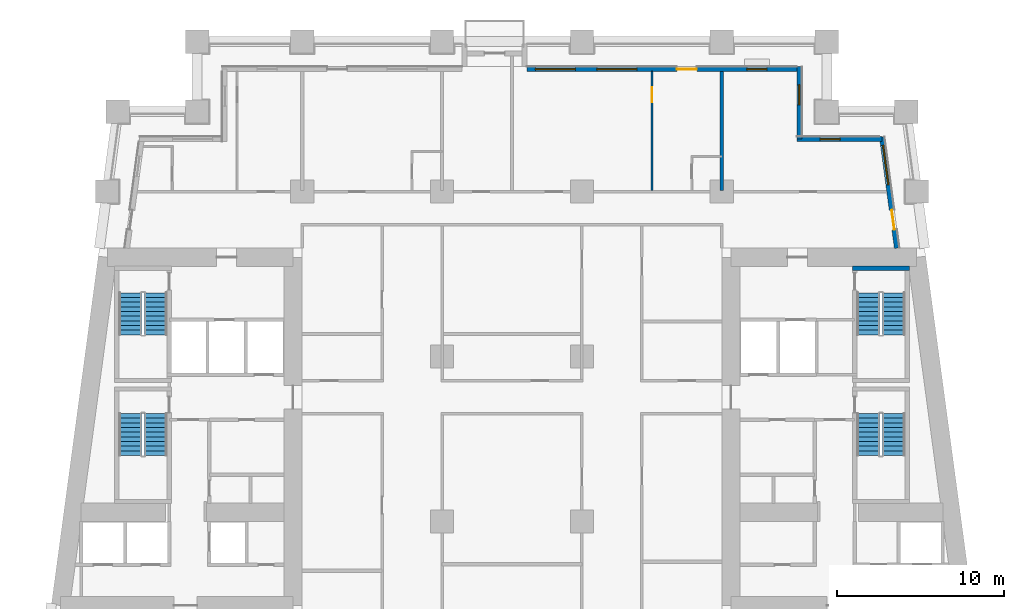
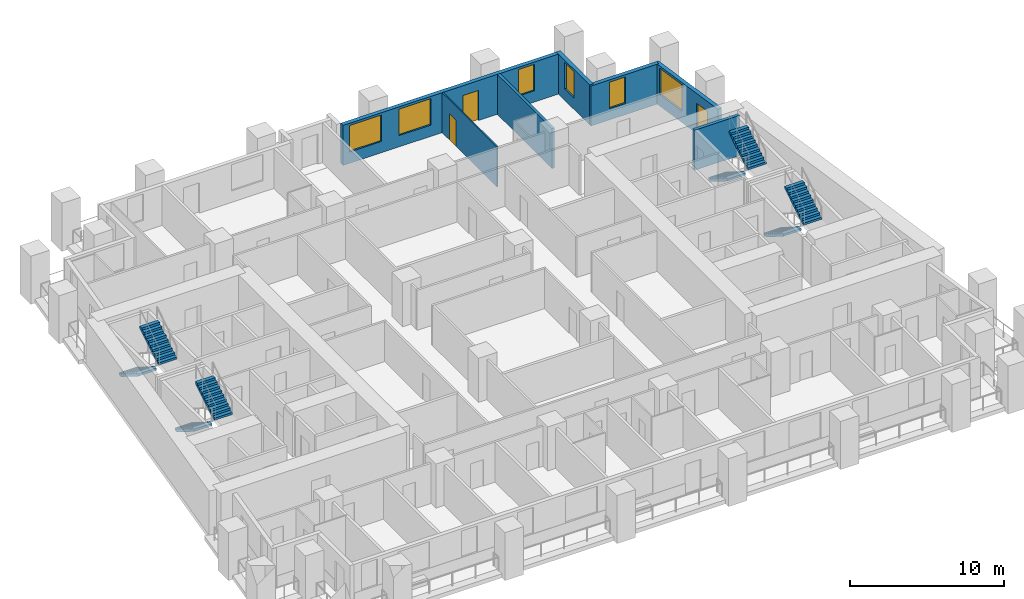
# One storey, part 7 of 12: 8 stair flights, 7 walls, 6 windows, 3 doors, 9 openings, 4 elements without a shape of their own.
"""IFC4 building model written with IfcOpenShell, lengths in metres."""

from ifc_helpers import new_model, si_unit, direction, frame, frame_2d, origin, place, context, subcontext, project, spatial, polyline, rectangle, outline, extrude, material, layer, layer_set, type_object, element, fill, aggregate, save


model = new_model("IFC4")

# Units and contexts
model_context = context("Model", 3, precision=1e-05, world=origin(), true_north=direction((0.0, 1.0)))
body_context = subcontext(model_context, "Body", "Model", "MODEL_VIEW")
ifc_project = project(units=[si_unit("LENGTHUNIT", "METRE"), si_unit("AREAUNIT", "SQUARE_METRE"), si_unit("VOLUMEUNIT", "CUBIC_METRE"), si_unit("PLANEANGLEUNIT", "RADIAN"), si_unit("MASSUNIT", "GRAM", prefix="KILO")], contexts=[model_context])

# Site, building, storey
site_placement = place(None, origin())
site = spatial("IfcSite", under=ifc_project, at=site_placement, CompositionType="ELEMENT")
building_placement = place(site_placement, origin())
building = spatial("IfcBuilding", under=site, at=building_placement, Name="Candeia Pilgrim Tower and Theatre", CompositionType="ELEMENT")
storey_placement = place(building_placement, frame((0.0, 0.0, 39.0)))
storey = spatial("IfcBuildingStorey", under=building, at=storey_placement, Name="L06", CompositionType="ELEMENT", Elevation=39.0)

# Wall, openings, door, window
ifc_material_1 = material(Name="Ceramic block masonry", Category="masonry")
ifc_layer_1 = layer(ifc_material_1, 0.300048828125)
ifc_layer_set_1 = layer_set([ifc_layer_1], Name="EW1 glazing-line wall 300")
wall_type_1 = type_object("IfcWallType", Name="EW1 glazing-line wall 300", PredefinedType="SOLIDWALL", material=ifc_layer_set_1)
wall_1_placement = place(storey_placement, frame((136.50439453125, 132.39990234375, 0.0), z_axis=(0.0, 0.0, 1.0), x_axis=(-0.133399697462, 0.99106231929, 0.0)))
wall_1 = element("IfcWall", 1, at=wall_1_placement, inside=storey, type_object=wall_type_1, Name="External wall L06-3.1", PredefinedType="SOLIDWALL", context=body_context, shape_type="SweptSolid", body=[
    extrude(rectangle(XDim=6.740478515625, YDim=0.300048828125, at=frame_2d((3.3701171875, 0.0))), origin(), (0.0, 0.0, 1.0), 3.179931640625),
])
opening_1_placement = place(wall_1_placement, frame((1.115234375, 0.0, 0.0)))
opening_1 = element("IfcOpeningElement", 2, at=opening_1_placement, cuts=wall_1, Name="Opening L06-ED085", PredefinedType="OPENING", context=body_context, shape_type="SweptSolid", body=[
    extrude(rectangle(XDim=1.199951171875, YDim=2.39990234375, at=frame_2d((0.60009765625, 1.199951171875))), frame((0.0, 0.16015625, 0.0), z_axis=(0.0, -1.0, 0.0), x_axis=(1.0, 0.0, 0.0)), (0.0, 0.0, 1.0), 0.320068359375),
])
opening_2_placement = place(wall_1_placement, frame((3.83544921875, 0.0, 0.89990234375)))
opening_2 = element("IfcOpeningElement", 3, at=opening_2_placement, cuts=wall_1, Name="Opening W-A", PredefinedType="OPENING", context=body_context, shape_type="SweptSolid", body=[
    extrude(rectangle(XDim=2.39990234375, YDim=2.10009765625, at=frame_2d((1.199951171875, 1.050048828125))), frame((0.0, 0.16015625, 0.0), z_axis=(0.0, -1.0, 0.0), x_axis=(1.0, 0.0, 0.0)), (0.0, 0.0, 1.0), 0.320068359375),
])
ifc_material_2 = material(Name="Aluminium framed glazed door", Category="aluminium")
door_type_1 = type_object("IfcDoorType", Name="Loggia door 1200x2400", OperationType="DOUBLE_DOOR_SINGLE_SWING", PredefinedType="DOOR", material=ifc_material_2)
door_1_placement = place(opening_1_placement, origin())
door_1 = element("IfcDoor", 4, at=door_1_placement, inside=storey, type_object=door_type_1, Name="Loggia door L06-ED085", OperationType="DOUBLE_DOOR_SINGLE_SWING", OverallHeight=2.39990234375, OverallWidth=1.199951171875, PredefinedType="DOOR", context=body_context, shape_type="SweptSolid", body=[
    extrude(rectangle(XDim=1.199951171875, YDim=2.39990234375, at=frame_2d((0.60009765625, 1.199951171875))), frame((0.0, 0.02490234375, 0.0), z_axis=(0.0, -1.0, 0.0), x_axis=(1.0, 0.0, 0.0)), (0.0, 0.0, 1.0), 0.050048828125),
])
fill(opening_1, door_1)
ifc_material_3 = material(Name="Aluminium framed double glazing", Category="aluminium")
window_type_1 = type_object("IfcWindowType", Name="W-A window 2400x2100", PartitioningType="DOUBLE_PANEL_VERTICAL", PredefinedType="WINDOW", material=ifc_material_3)
window_1_placement = place(opening_2_placement, origin())
window_1 = element("IfcWindow", 5, at=window_1_placement, inside=storey, type_object=window_type_1, Name="Window W-A L06", OverallHeight=2.10009765625, OverallWidth=2.39990234375, PartitioningType="SINGLE_PANEL", PredefinedType="WINDOW", context=body_context, shape_type="SweptSolid", body=[
    extrude(rectangle(XDim=2.39990234375, YDim=2.10009765625, at=frame_2d((1.199951171875, 1.050048828125))), frame((0.0, 0.030029296875, 0.0), z_axis=(0.0, -1.0, 0.0), x_axis=(1.0, 0.0, 0.0)), (0.0, 0.0, 1.0), 0.06005859375),
])
fill(opening_2, window_1)

# Wall, opening, window
wall_2_placement = place(storey_placement, frame((135.62255859375, 138.949951171875, 0.0), z_axis=(0.0, 0.0, 1.0), x_axis=(-1.0, 0.0, 0.0)))
wall_2 = element("IfcWall", 6, at=wall_2_placement, inside=storey, type_object=wall_type_1, Name="External wall L06-4.0", PredefinedType="SOLIDWALL", context=body_context, shape_type="SweptSolid", body=[
    extrude(rectangle(XDim=5.12255859375, YDim=0.300048828125, at=frame_2d((2.561279296875, 0.0))), origin(), (0.0, 0.0, 1.0), 3.179931640625),
])
opening_3_placement = place(wall_2_placement, frame((2.522705078125, 0.0, 0.89990234375)))
opening_3 = element("IfcOpeningElement", 7, at=opening_3_placement, cuts=wall_2, Name="Opening W-B", PredefinedType="OPENING", context=body_context, shape_type="SweptSolid", body=[
    extrude(rectangle(XDim=1.199951171875, YDim=2.10009765625, at=frame_2d((0.60009765625, 1.050048828125))), frame((0.0, 0.16015625, 0.0), z_axis=(0.0, -1.0, 0.0), x_axis=(1.0, 0.0, 0.0)), (0.0, 0.0, 1.0), 0.320068359375),
])
window_type_2 = type_object("IfcWindowType", Name="W-B window 1200x2100", PartitioningType="SINGLE_PANEL", PredefinedType="WINDOW", material=ifc_material_3)
window_2_placement = place(opening_3_placement, origin())
window_2 = element("IfcWindow", 8, at=window_2_placement, inside=storey, type_object=window_type_2, Name="Window W-B L06", OverallHeight=2.10009765625, OverallWidth=1.199951171875, PartitioningType="SINGLE_PANEL", PredefinedType="WINDOW", context=body_context, shape_type="SweptSolid", body=[
    extrude(rectangle(XDim=1.199951171875, YDim=2.10009765625, at=frame_2d((0.60009765625, 1.050048828125))), frame((0.0, 0.030029296875, 0.0), z_axis=(0.0, -1.0, 0.0), x_axis=(1.0, 0.0, 0.0)), (0.0, 0.0, 1.0), 0.06005859375),
])
fill(opening_3, window_2)

wall_3_placement = place(storey_placement, frame((130.64990234375, 138.949951171875, 0.0), z_axis=(0.0, 0.0, 1.0), x_axis=(0.0, 1.0, 0.0)))
wall_3 = element("IfcWall", 9, at=wall_3_placement, inside=storey, type_object=wall_type_1, Name="External wall L06-5.0", PredefinedType="SOLIDWALL", context=body_context, shape_type="SweptSolid", body=[
    extrude(rectangle(XDim=4.35009765625, YDim=0.300048828125, at=frame_2d((2.175048828125, 0.0))), origin(), (0.0, 0.0, 1.0), 3.179931640625),
])
opening_4_placement = place(wall_3_placement, frame((2.050048828125, 0.0, 0.89990234375)))
opening_4 = element("IfcOpeningElement", 10, at=opening_4_placement, cuts=wall_3, Name="Opening W-B", PredefinedType="OPENING", context=body_context, shape_type="SweptSolid", body=[
    extrude(rectangle(XDim=1.199951171875, YDim=2.10009765625, at=frame_2d((0.60009765625, 1.050048828125))), frame((0.0, 0.16015625, 0.0), z_axis=(0.0, -1.0, 0.0), x_axis=(1.0, 0.0, 0.0)), (0.0, 0.0, 1.0), 0.320068359375),
])
window_3_placement = place(opening_4_placement, origin())
window_3 = element("IfcWindow", 11, at=window_3_placement, inside=storey, type_object=window_type_2, Name="Window W-B L06", OverallHeight=2.10009765625, OverallWidth=1.199951171875, PartitioningType="SINGLE_PANEL", PredefinedType="WINDOW", context=body_context, shape_type="SweptSolid", body=[
    extrude(rectangle(XDim=1.199951171875, YDim=2.10009765625, at=frame_2d((0.60009765625, 1.050048828125))), frame((0.0, 0.030029296875, 0.0), z_axis=(0.0, -1.0, 0.0), x_axis=(1.0, 0.0, 0.0)), (0.0, 0.0, 1.0), 0.06005859375),
])
fill(opening_4, window_3)

# Wall, openings, door, windows
wall_4_placement = place(storey_placement, frame((130.64990234375, 143.14990234375, 0.0), z_axis=(0.0, 0.0, 1.0), x_axis=(-1.0, 0.0, 0.0)))
wall_4 = element("IfcWall", 12, at=wall_4_placement, inside=storey, type_object=wall_type_1, Name="External wall L06-6.0", PredefinedType="SOLIDWALL", context=body_context, shape_type="SweptSolid", body=[
    extrude(rectangle(XDim=16.349853515625, YDim=0.300048828125, at=frame_2d((8.1748046875, 0.0))), origin(), (0.0, 0.0, 1.0), 3.179931640625),
])
opening_5_placement = place(wall_4_placement, frame((1.949951171875, 0.0, 0.89990234375)))
opening_5 = element("IfcOpeningElement", 13, at=opening_5_placement, cuts=wall_4, Name="Opening W-B", PredefinedType="OPENING", context=body_context, shape_type="SweptSolid", body=[
    extrude(rectangle(XDim=1.199951171875, YDim=2.10009765625, at=frame_2d((0.60009765625, 1.050048828125))), frame((0.0, 0.16015625, 0.0), z_axis=(0.0, -1.0, 0.0), x_axis=(1.0, 0.0, 0.0)), (0.0, 0.0, 1.0), 0.320068359375),
])
opening_6_placement = place(wall_4_placement, frame((6.14990234375, 0.0, 0.0)))
opening_6 = element("IfcOpeningElement", 14, at=opening_6_placement, cuts=wall_4, Name="Opening L06-ED086", PredefinedType="OPENING", context=body_context, shape_type="SweptSolid", body=[
    extrude(rectangle(XDim=1.199951171875, YDim=2.39990234375, at=frame_2d((0.60009765625, 1.199951171875))), frame((0.0, 0.16015625, 0.0), z_axis=(0.0, -1.0, 0.0), x_axis=(1.0, 0.0, 0.0)), (0.0, 0.0, 1.0), 0.320068359375),
])
opening_7_placement = place(wall_4_placement, frame((9.75, 0.0, 0.89990234375)))
opening_7 = element("IfcOpeningElement", 15, at=opening_7_placement, cuts=wall_4, Name="Opening W-A", PredefinedType="OPENING", context=body_context, shape_type="SweptSolid", body=[
    extrude(rectangle(XDim=2.39990234375, YDim=2.10009765625, at=frame_2d((1.199951171875, 1.050048828125))), frame((0.0, 0.16015625, 0.0), z_axis=(0.0, -1.0, 0.0), x_axis=(1.0, 0.0, 0.0)), (0.0, 0.0, 1.0), 0.320068359375),
])
opening_8_placement = place(wall_4_placement, frame((13.449951171875, 0.0, 0.89990234375)))
opening_8 = element("IfcOpeningElement", 16, at=opening_8_placement, cuts=wall_4, Name="Opening W-A", PredefinedType="OPENING", context=body_context, shape_type="SweptSolid", body=[
    extrude(rectangle(XDim=2.39990234375, YDim=2.10009765625, at=frame_2d((1.199951171875, 1.050048828125))), frame((0.0, 0.16015625, 0.0), z_axis=(0.0, -1.0, 0.0), x_axis=(1.0, 0.0, 0.0)), (0.0, 0.0, 1.0), 0.320068359375),
])
door_2_placement = place(opening_6_placement, origin())
door_2 = element("IfcDoor", 17, at=door_2_placement, inside=storey, type_object=door_type_1, Name="Loggia door L06-ED086", OperationType="DOUBLE_DOOR_SINGLE_SWING", OverallHeight=2.39990234375, OverallWidth=1.199951171875, PredefinedType="DOOR", context=body_context, shape_type="SweptSolid", body=[
    extrude(rectangle(XDim=1.199951171875, YDim=2.39990234375, at=frame_2d((0.60009765625, 1.199951171875))), frame((0.0, 0.02490234375, 0.0), z_axis=(0.0, -1.0, 0.0), x_axis=(1.0, 0.0, 0.0)), (0.0, 0.0, 1.0), 0.050048828125),
])
fill(opening_6, door_2)
window_4_placement = place(opening_7_placement, origin())
window_4 = element("IfcWindow", 18, at=window_4_placement, inside=storey, type_object=window_type_1, Name="Window W-A L06", OverallHeight=2.10009765625, OverallWidth=2.39990234375, PartitioningType="SINGLE_PANEL", PredefinedType="WINDOW", context=body_context, shape_type="SweptSolid", body=[
    extrude(rectangle(XDim=2.39990234375, YDim=2.10009765625, at=frame_2d((1.199951171875, 1.050048828125))), frame((0.0, 0.030029296875, 0.0), z_axis=(0.0, -1.0, 0.0), x_axis=(1.0, 0.0, 0.0)), (0.0, 0.0, 1.0), 0.06005859375),
])
fill(opening_7, window_4)
window_5_placement = place(opening_8_placement, origin())
window_5 = element("IfcWindow", 19, at=window_5_placement, inside=storey, type_object=window_type_1, Name="Window W-A L06", OverallHeight=2.10009765625, OverallWidth=2.39990234375, PartitioningType="SINGLE_PANEL", PredefinedType="WINDOW", context=body_context, shape_type="SweptSolid", body=[
    extrude(rectangle(XDim=2.39990234375, YDim=2.10009765625, at=frame_2d((1.199951171875, 1.050048828125))), frame((0.0, 0.030029296875, 0.0), z_axis=(0.0, -1.0, 0.0), x_axis=(1.0, 0.0, 0.0)), (0.0, 0.0, 1.0), 0.06005859375),
])
fill(opening_8, window_5)
window_6_placement = place(opening_5_placement, origin())
window_6 = element("IfcWindow", 20, at=window_6_placement, inside=storey, type_object=window_type_2, Name="Window W-B L06", OverallHeight=2.10009765625, OverallWidth=1.199951171875, PartitioningType="SINGLE_PANEL", PredefinedType="WINDOW", context=body_context, shape_type="SweptSolid", body=[
    extrude(rectangle(XDim=1.199951171875, YDim=2.10009765625, at=frame_2d((0.60009765625, 1.050048828125))), frame((0.0, 0.030029296875, 0.0), z_axis=(0.0, -1.0, 0.0), x_axis=(1.0, 0.0, 0.0)), (0.0, 0.0, 1.0), 0.06005859375),
])
fill(opening_5, window_6)

# Wall, opening, door
ifc_material_4 = material(Name="Gypsum board partition on steel studs", Category="steel")
ifc_layer_2 = layer(ifc_material_4, 0.10009765625)
ifc_layer_set_2 = layer_set([ifc_layer_2], Name="PW-100 room partition")
wall_type_2 = type_object("IfcWallType", Name="PW-100 room partition", PredefinedType="PARTITIONING", material=ifc_layer_set_2)
wall_5_placement = place(storey_placement, frame((121.800048828125, 135.875, 0.0), z_axis=(0.0, 0.0, 1.0), x_axis=(0.0, 1.0, 0.0)))
wall_5 = element("IfcWall", 21, at=wall_5_placement, inside=storey, type_object=wall_type_2, Name="Room partition L06-093", PredefinedType="PARTITIONING", context=body_context, shape_type="SweptSolid", body=[
    extrude(rectangle(XDim=7.135009765625, YDim=0.10009765625, at=frame_2d((3.5673828125, 0.0))), origin(), (0.0, 0.0, 1.0), 3.179931640625),
])
opening_9_placement = place(wall_5_placement, frame((5.2900390625, 0.0, 0.0)))
opening_9 = element("IfcOpeningElement", 22, at=opening_9_placement, cuts=wall_5, Name="Opening L06-D038", PredefinedType="OPENING", context=body_context, shape_type="SweptSolid", body=[
    extrude(rectangle(XDim=0.89990234375, YDim=2.10009765625, at=frame_2d((0.449951171875, 1.050048828125))), frame((0.0, 0.06005859375, 0.0), z_axis=(0.0, -1.0, 0.0), x_axis=(1.0, 0.0, 0.0)), (0.0, 0.0, 1.0), 0.1201171875),
])
ifc_material_5 = material(Name="Timber door leaf", Category="wood")
door_type_2 = type_object("IfcDoorType", Name="D-900", OperationType="NOTDEFINED", PredefinedType="DOOR", material=ifc_material_5)
door_3_placement = place(opening_9_placement, origin())
door_3 = element("IfcDoor", 23, at=door_3_placement, inside=storey, type_object=door_type_2, Name="Door L06-D038", OperationType="SINGLE_SWING_RIGHT", OverallHeight=2.10009765625, OverallWidth=0.89990234375, PredefinedType="DOOR", context=body_context, shape_type="SweptSolid", body=[
    extrude(rectangle(XDim=0.89990234375, YDim=2.10009765625, at=frame_2d((0.449951171875, 1.050048828125))), frame((0.0, 0.02490234375, 0.0), z_axis=(0.0, -1.0, 0.0), x_axis=(1.0, 0.0, 0.0)), (0.0, 0.0, 1.0), 0.050048828125),
])
fill(opening_9, door_3)

# Walls
ifc_layer_3 = layer(ifc_material_4, 0.199951171875)
ifc_layer_set_3 = layer_set([ifc_layer_3], Name="PW-200 party wall")
wall_type_3 = type_object("IfcWallType", Name="PW-200 party wall", PredefinedType="PARTITIONING", material=ifc_layer_set_3)
wall_6_placement = place(storey_placement, frame((126.0, 135.875, 0.0), z_axis=(0.0, 0.0, 1.0), x_axis=(0.0, 1.0, 0.0)))
element("IfcWall", 24, at=wall_6_placement, inside=storey, type_object=wall_type_3, Name="Party wall L06-097", PredefinedType="PARTITIONING", context=body_context, shape_type="SweptSolid", body=[
    extrude(rectangle(XDim=7.135009765625, YDim=0.199951171875, at=frame_2d((3.5673828125, 0.0))), origin(), (0.0, 0.0, 1.0), 3.179931640625),
])
ifc_material_6 = material(Name="Concrete C40/50", Category="concrete")
ifc_layer_4 = layer(ifc_material_6, 0.25)
ifc_layer_set_4 = layer_set([ifc_layer_4], Name="SW-250 stair wall")
wall_type_4 = type_object("IfcWallType", Name="SW-250 stair wall", PredefinedType="PARTITIONING", material=ifc_layer_set_4)
wall_7_placement = place(storey_placement, frame((133.847900390625, 131.199951171875, 0.0), z_axis=(0.0, 0.0, 1.0), x_axis=(1.0, 0.0, 0.0)))
element("IfcWall", 25, at=wall_7_placement, inside=storey, type_object=wall_type_4, Name="Stair wall L06-044", PredefinedType="PARTITIONING", context=body_context, shape_type="SweptSolid", body=[
    extrude(rectangle(XDim=3.400146484375, YDim=0.25, at=frame_2d((1.7001953125, 0.0))), origin(), (0.0, 0.0, 1.0), 3.179931640625),
])

# Stair, stair flights
stair_type = type_object("IfcStairType", Name="ST-TWR dog-leg escape stair", PredefinedType="HALF_TURN_STAIR", material=ifc_material_6)
stair_1_placement = place(storey_placement, origin())
stair_1 = element("IfcStair", 26, at=stair_1_placement, inside=storey, type_object=stair_type, Name="L06 Escape stair ST1", PredefinedType="HALF_TURN_STAIR")
stair_flight_type = type_object("IfcStairFlightType", Name="SFL-RC stair flight", PredefinedType="STRAIGHT", material=ifc_material_6)
stair_flight_1_placement = place(storey_placement, frame((90.47705078125, 122.47509765625, 0.0), z_axis=(0.0, 0.0, 1.0), x_axis=(0.0, -1.0, 0.0)))
stair_flight_1 = element("IfcStairFlight", 27, at=stair_flight_1_placement, type_object=stair_flight_type, Name="ST1 flight 1", NumberOfRisers=10, NumberOfTreads=9, PredefinedType="STRAIGHT", RiserHeight=0.175, TreadLength=0.28, context=body_context, shape_type="SweptSolid", body=[
    extrude(outline(polyline([(0.0, 0.0), (0.0, 0.175048828125), (0.280029296875, 0.175048828125), (0.280029296875, 0.35009765625), (0.56005859375, 0.35009765625), (0.56005859375, 0.52490234375), (0.840087890625, 0.52490234375), (0.840087890625, 0.699951171875), (1.1201171875, 0.699951171875), (1.1201171875, 0.875), (1.39990234375, 0.875), (1.39990234375, 1.050048828125), (1.679931640625, 1.050048828125), (1.679931640625, 1.22509765625), (1.9599609375, 1.22509765625), (1.9599609375, 1.39990234375), (2.239990234375, 1.39990234375), (2.239990234375, 1.574951171875), (2.52001953125, 1.574951171875), (2.52001953125, 1.75), (2.52001953125, 1.398193359375), (0.28271484375, 0.0), (0.0, 0.0)])), frame((0.0, 0.675048828125, 0.0), z_axis=(0.0, -1.0, 0.0), x_axis=(1.0, 0.0, 0.0)), (0.0, 0.0, 1.0), 1.35009765625),
])
stair_flight_2_placement = place(storey_placement, frame((92.027099609375, 119.955078125, 1.75), z_axis=(0.0, 0.0, 1.0), x_axis=(0.0, 1.0, 0.0)))
stair_flight_2 = element("IfcStairFlight", 28, at=stair_flight_2_placement, type_object=stair_flight_type, Name="ST1 flight 2", NumberOfRisers=10, NumberOfTreads=9, PredefinedType="STRAIGHT", RiserHeight=0.175, TreadLength=0.28, context=body_context, shape_type="SweptSolid", body=[
    extrude(outline(polyline([(0.0, 0.0), (0.0, 0.175048828125), (0.280029296875, 0.175048828125), (0.280029296875, 0.35009765625), (0.56005859375, 0.35009765625), (0.56005859375, 0.52490234375), (0.840087890625, 0.52490234375), (0.840087890625, 0.699951171875), (1.1201171875, 0.699951171875), (1.1201171875, 0.875), (1.39990234375, 0.875), (1.39990234375, 1.050048828125), (1.679931640625, 1.050048828125), (1.679931640625, 1.22509765625), (1.9599609375, 1.22509765625), (1.9599609375, 1.39990234375), (2.239990234375, 1.39990234375), (2.239990234375, 1.574951171875), (2.52001953125, 1.574951171875), (2.52001953125, 1.75), (2.52001953125, 1.398193359375), (0.28271484375, 0.0), (0.0, 0.0)])), frame((0.0, 0.675048828125, 0.0), z_axis=(0.0, -1.0, 0.0), x_axis=(1.0, 0.0, 0.0)), (0.0, 0.0, 1.0), 1.35009765625),
])
aggregate(stair_1, [stair_flight_1, stair_flight_2])

stair_2_placement = place(storey_placement, origin())
stair_2 = element("IfcStair", 29, at=stair_2_placement, inside=storey, type_object=stair_type, Name="L06 Escape stair ST2", PredefinedType="HALF_TURN_STAIR")
stair_flight_3_placement = place(storey_placement, frame((90.47705078125, 129.72509765625, 0.0), z_axis=(0.0, 0.0, 1.0), x_axis=(0.0, -1.0, 0.0)))
stair_flight_3 = element("IfcStairFlight", 30, at=stair_flight_3_placement, type_object=stair_flight_type, Name="ST2 flight 1", NumberOfRisers=10, NumberOfTreads=9, PredefinedType="STRAIGHT", RiserHeight=0.175, TreadLength=0.28, context=body_context, shape_type="SweptSolid", body=[
    extrude(outline(polyline([(0.0, 0.0), (0.0, 0.175048828125), (0.280029296875, 0.175048828125), (0.280029296875, 0.35009765625), (0.56005859375, 0.35009765625), (0.56005859375, 0.52490234375), (0.840087890625, 0.52490234375), (0.840087890625, 0.699951171875), (1.1201171875, 0.699951171875), (1.1201171875, 0.875), (1.39990234375, 0.875), (1.39990234375, 1.050048828125), (1.679931640625, 1.050048828125), (1.679931640625, 1.22509765625), (1.9599609375, 1.22509765625), (1.9599609375, 1.39990234375), (2.239990234375, 1.39990234375), (2.239990234375, 1.574951171875), (2.52001953125, 1.574951171875), (2.52001953125, 1.75), (2.52001953125, 1.398193359375), (0.28271484375, 0.0), (0.0, 0.0)])), frame((0.0, 0.675048828125, 0.0), z_axis=(0.0, -1.0, 0.0), x_axis=(1.0, 0.0, 0.0)), (0.0, 0.0, 1.0), 1.35009765625),
])
stair_flight_4_placement = place(storey_placement, frame((92.027099609375, 127.205078125, 1.75), z_axis=(0.0, 0.0, 1.0), x_axis=(0.0, 1.0, 0.0)))
stair_flight_4 = element("IfcStairFlight", 31, at=stair_flight_4_placement, type_object=stair_flight_type, Name="ST2 flight 2", NumberOfRisers=10, NumberOfTreads=9, PredefinedType="STRAIGHT", RiserHeight=0.175, TreadLength=0.28, context=body_context, shape_type="SweptSolid", body=[
    extrude(outline(polyline([(0.0, 0.0), (0.0, 0.175048828125), (0.280029296875, 0.175048828125), (0.280029296875, 0.35009765625), (0.56005859375, 0.35009765625), (0.56005859375, 0.52490234375), (0.840087890625, 0.52490234375), (0.840087890625, 0.699951171875), (1.1201171875, 0.699951171875), (1.1201171875, 0.875), (1.39990234375, 0.875), (1.39990234375, 1.050048828125), (1.679931640625, 1.050048828125), (1.679931640625, 1.22509765625), (1.9599609375, 1.22509765625), (1.9599609375, 1.39990234375), (2.239990234375, 1.39990234375), (2.239990234375, 1.574951171875), (2.52001953125, 1.574951171875), (2.52001953125, 1.75), (2.52001953125, 1.398193359375), (0.28271484375, 0.0), (0.0, 0.0)])), frame((0.0, 0.675048828125, 0.0), z_axis=(0.0, -1.0, 0.0), x_axis=(1.0, 0.0, 0.0)), (0.0, 0.0, 1.0), 1.35009765625),
])
aggregate(stair_2, [stair_flight_3, stair_flight_4])

stair_3_placement = place(storey_placement, origin())
stair_3 = element("IfcStair", 32, at=stair_3_placement, inside=storey, type_object=stair_type, Name="L06 Escape stair ST3", PredefinedType="HALF_TURN_STAIR")
stair_flight_5_placement = place(storey_placement, frame((134.77294921875, 122.47509765625, 0.0), z_axis=(0.0, 0.0, 1.0), x_axis=(0.0, -1.0, 0.0)))
stair_flight_5 = element("IfcStairFlight", 33, at=stair_flight_5_placement, type_object=stair_flight_type, Name="ST3 flight 1", NumberOfRisers=10, NumberOfTreads=9, PredefinedType="STRAIGHT", RiserHeight=0.175, TreadLength=0.28, context=body_context, shape_type="SweptSolid", body=[
    extrude(outline(polyline([(0.0, 0.0), (0.0, 0.175048828125), (0.280029296875, 0.175048828125), (0.280029296875, 0.35009765625), (0.56005859375, 0.35009765625), (0.56005859375, 0.52490234375), (0.840087890625, 0.52490234375), (0.840087890625, 0.699951171875), (1.1201171875, 0.699951171875), (1.1201171875, 0.875), (1.39990234375, 0.875), (1.39990234375, 1.050048828125), (1.679931640625, 1.050048828125), (1.679931640625, 1.22509765625), (1.9599609375, 1.22509765625), (1.9599609375, 1.39990234375), (2.239990234375, 1.39990234375), (2.239990234375, 1.574951171875), (2.52001953125, 1.574951171875), (2.52001953125, 1.75), (2.52001953125, 1.398193359375), (0.28271484375, 0.0), (0.0, 0.0)])), frame((0.0, 0.675048828125, 0.0), z_axis=(0.0, -1.0, 0.0), x_axis=(1.0, 0.0, 0.0)), (0.0, 0.0, 1.0), 1.35009765625),
])
stair_flight_6_placement = place(storey_placement, frame((136.322998046875, 119.955078125, 1.75), z_axis=(0.0, 0.0, 1.0), x_axis=(0.0, 1.0, 0.0)))
stair_flight_6 = element("IfcStairFlight", 34, at=stair_flight_6_placement, type_object=stair_flight_type, Name="ST3 flight 2", NumberOfRisers=10, NumberOfTreads=9, PredefinedType="STRAIGHT", RiserHeight=0.175, TreadLength=0.28, context=body_context, shape_type="SweptSolid", body=[
    extrude(outline(polyline([(0.0, 0.0), (0.0, 0.175048828125), (0.280029296875, 0.175048828125), (0.280029296875, 0.35009765625), (0.56005859375, 0.35009765625), (0.56005859375, 0.52490234375), (0.840087890625, 0.52490234375), (0.840087890625, 0.699951171875), (1.1201171875, 0.699951171875), (1.1201171875, 0.875), (1.39990234375, 0.875), (1.39990234375, 1.050048828125), (1.679931640625, 1.050048828125), (1.679931640625, 1.22509765625), (1.9599609375, 1.22509765625), (1.9599609375, 1.39990234375), (2.239990234375, 1.39990234375), (2.239990234375, 1.574951171875), (2.52001953125, 1.574951171875), (2.52001953125, 1.75), (2.52001953125, 1.398193359375), (0.28271484375, 0.0), (0.0, 0.0)])), frame((0.0, 0.675048828125, 0.0), z_axis=(0.0, -1.0, 0.0), x_axis=(1.0, 0.0, 0.0)), (0.0, 0.0, 1.0), 1.35009765625),
])
aggregate(stair_3, [stair_flight_5, stair_flight_6])

stair_4_placement = place(storey_placement, origin())
stair_4 = element("IfcStair", 35, at=stair_4_placement, inside=storey, type_object=stair_type, Name="L06 Escape stair ST4", PredefinedType="HALF_TURN_STAIR")
stair_flight_7_placement = place(storey_placement, frame((134.77294921875, 129.72509765625, 0.0), z_axis=(0.0, 0.0, 1.0), x_axis=(0.0, -1.0, 0.0)))
stair_flight_7 = element("IfcStairFlight", 36, at=stair_flight_7_placement, type_object=stair_flight_type, Name="ST4 flight 1", NumberOfRisers=10, NumberOfTreads=9, PredefinedType="STRAIGHT", RiserHeight=0.175, TreadLength=0.28, context=body_context, shape_type="SweptSolid", body=[
    extrude(outline(polyline([(0.0, 0.0), (0.0, 0.175048828125), (0.280029296875, 0.175048828125), (0.280029296875, 0.35009765625), (0.56005859375, 0.35009765625), (0.56005859375, 0.52490234375), (0.840087890625, 0.52490234375), (0.840087890625, 0.699951171875), (1.1201171875, 0.699951171875), (1.1201171875, 0.875), (1.39990234375, 0.875), (1.39990234375, 1.050048828125), (1.679931640625, 1.050048828125), (1.679931640625, 1.22509765625), (1.9599609375, 1.22509765625), (1.9599609375, 1.39990234375), (2.239990234375, 1.39990234375), (2.239990234375, 1.574951171875), (2.52001953125, 1.574951171875), (2.52001953125, 1.75), (2.52001953125, 1.398193359375), (0.28271484375, 0.0), (0.0, 0.0)])), frame((0.0, 0.675048828125, 0.0), z_axis=(0.0, -1.0, 0.0), x_axis=(1.0, 0.0, 0.0)), (0.0, 0.0, 1.0), 1.35009765625),
])
stair_flight_8_placement = place(storey_placement, frame((136.322998046875, 127.205078125, 1.75), z_axis=(0.0, 0.0, 1.0), x_axis=(0.0, 1.0, 0.0)))
stair_flight_8 = element("IfcStairFlight", 37, at=stair_flight_8_placement, type_object=stair_flight_type, Name="ST4 flight 2", NumberOfRisers=10, NumberOfTreads=9, PredefinedType="STRAIGHT", RiserHeight=0.175, TreadLength=0.28, context=body_context, shape_type="SweptSolid", body=[
    extrude(outline(polyline([(0.0, 0.0), (0.0, 0.175048828125), (0.280029296875, 0.175048828125), (0.280029296875, 0.35009765625), (0.56005859375, 0.35009765625), (0.56005859375, 0.52490234375), (0.840087890625, 0.52490234375), (0.840087890625, 0.699951171875), (1.1201171875, 0.699951171875), (1.1201171875, 0.875), (1.39990234375, 0.875), (1.39990234375, 1.050048828125), (1.679931640625, 1.050048828125), (1.679931640625, 1.22509765625), (1.9599609375, 1.22509765625), (1.9599609375, 1.39990234375), (2.239990234375, 1.39990234375), (2.239990234375, 1.574951171875), (2.52001953125, 1.574951171875), (2.52001953125, 1.75), (2.52001953125, 1.398193359375), (0.28271484375, 0.0), (0.0, 0.0)])), frame((0.0, 0.675048828125, 0.0), z_axis=(0.0, -1.0, 0.0), x_axis=(1.0, 0.0, 0.0)), (0.0, 0.0, 1.0), 1.35009765625),
])
aggregate(stair_4, [stair_flight_7, stair_flight_8])

save(model, "model.ifc")
